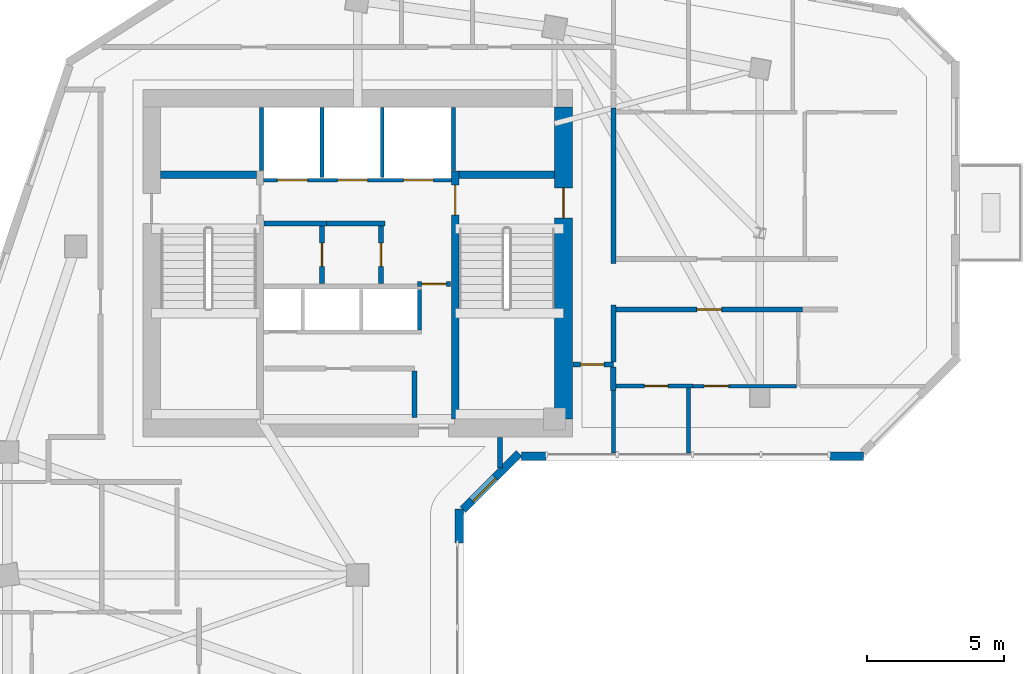
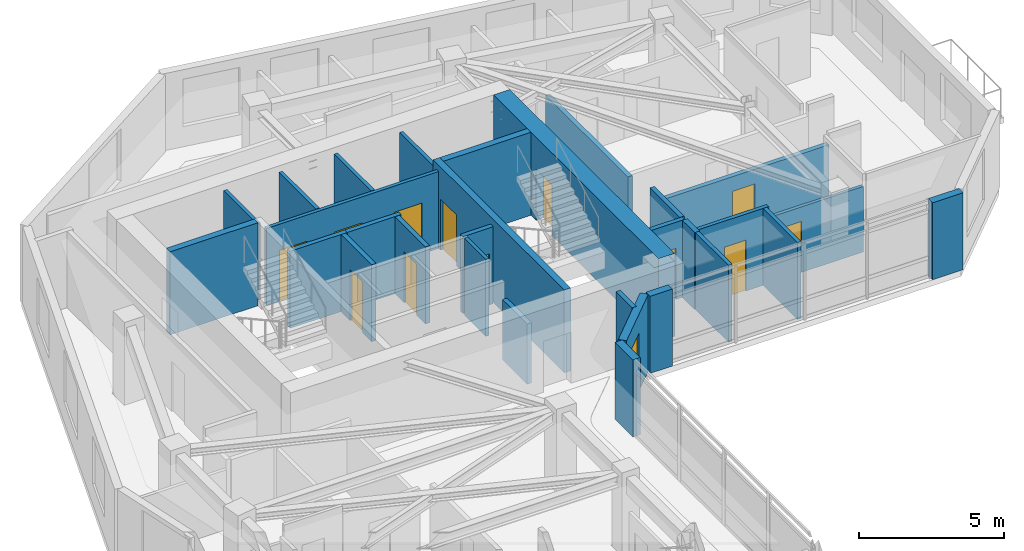
# One storey, part 5 of 10: 30 walls, 12 doors, 1 window, 13 openings.
"""IFC4 building model written with IfcOpenShell, lengths in metres."""

from ifc_helpers import new_model, si_unit, direction, frame, frame_2d, origin, place, context, subcontext, project, spatial, rectangle, extrude, source, transform, mapped, material, layer, layer_set, type_object, element, fill, save


model = new_model("IFC4")

# Units and contexts
model_context = context("Model", 3, precision=1e-05, world=origin(), true_north=direction((0.0, 1.0)))
body_context = subcontext(model_context, "Body", "Model", "MODEL_VIEW")
ifc_project = project(units=[si_unit("LENGTHUNIT", "METRE"), si_unit("AREAUNIT", "SQUARE_METRE"), si_unit("VOLUMEUNIT", "CUBIC_METRE"), si_unit("PLANEANGLEUNIT", "RADIAN"), si_unit("MASSUNIT", "GRAM", prefix="KILO")], contexts=[model_context])

# Site, building, storey
site_placement = place(None, origin())
site = spatial("IfcSite", under=ifc_project, at=site_placement, CompositionType="ELEMENT")
building_placement = place(site_placement, origin())
building = spatial("IfcBuilding", under=site, at=building_placement, Name="Calvemar Wedge Station Tower", CompositionType="ELEMENT")
storey_placement = place(building_placement, frame((0.0, 0.0, 218.39990234375)))
storey = spatial("IfcBuildingStorey", under=building, at=storey_placement, Name="L55", CompositionType="ELEMENT", Elevation=218.39990234375)

# Wall, opening, door
ifc_material_1 = material(Name="Concrete C50", Category="concrete")
ifc_layer_1 = layer(ifc_material_1, 0.260009765625)
ifc_layer_set_1 = layer_set([ifc_layer_1], Name="Concrete C50")
wall_type_1 = type_object("IfcWallType", Name="SW-CORE-260", PredefinedType="SHEAR", material=ifc_layer_set_1)
wall_1_placement = place(storey_placement, frame((27.3701171875, 34.199951171875, 0.0), z_axis=(0.0, 0.0, 1.0), x_axis=(0.0, 1.0, 0.0)))
wall_1 = element("IfcWall", 1, at=wall_1_placement, inside=storey, type_object=wall_type_1, Name="Storey L55 Core Shear Wall SPINE-E", PredefinedType="SHEAR", context=body_context, shape_type="SweptSolid", body=[
    extrude(rectangle(XDim=9.06005859375, YDim=0.260009765625, at=frame_2d((4.530029296875, 0.0))), origin(), (0.0, 0.0, 1.0), 3.5),
])
shared_shape_1 = source(origin(), body_context, "Body", "SweptSolid", [
    extrude(rectangle(XDim=1.10009765625, YDim=2.14990234375, at=frame_2d((0.550048828125, 1.074951171875))), frame((0.0, 0.14013671875, 0.0), z_axis=(0.0, -1.0, 0.0), x_axis=(1.0, 0.0, 0.0)), (0.0, 0.0, 1.0), 0.280029296875),
])
opening_1_placement = place(wall_1_placement, frame((7.449951171875, 0.0, 0.0)))
opening_1 = element("IfcOpeningElement", 2, at=opening_1_placement, cuts=wall_1, Name="Opening FD-90", PredefinedType="OPENING", context=body_context, shape_type="MappedRepresentation", body=[
    mapped(shared_shape_1, transform((0.0, 0.0, 0.0), scale=1.0)),
])
ifc_material_2 = material(Name="Galvanized fire-rated steel door leaf P-90", Category="steel")
door_type_1 = type_object("IfcDoorType", Name="DR-FD90-1100", OperationType="NOTDEFINED", PredefinedType="DOOR", material=ifc_material_2)
shared_shape_2 = source(origin(), body_context, "Body", "SweptSolid", [
    extrude(rectangle(XDim=1.10009765625, YDim=2.14990234375, at=frame_2d((0.550048828125, 1.074951171875))), frame((0.0, 0.02490234375, 0.0), z_axis=(0.0, -1.0, 0.0), x_axis=(1.0, 0.0, 0.0)), (0.0, 0.0, 1.0), 0.050048828125),
])
door_1_placement = place(opening_1_placement, origin())
door_1 = element("IfcDoor", 3, at=door_1_placement, inside=storey, type_object=door_type_1, Name="L55 FF Lobby to Stair ST-C2 Door", OperationType="SINGLE_SWING_RIGHT", OverallHeight=2.14990234375, OverallWidth=1.10009765625, PredefinedType="DOOR", context=body_context, shape_type="MappedRepresentation", body=[
    mapped(shared_shape_2, transform((0.0, 0.0, 0.0), scale=1.0)),
])
fill(opening_1, door_1)

# Walls
for number, where, z_axis, x_axis, name in (
    (4, (16.60009765625, 43.1298828125, 0.0), (0.0, 0.0, 1.0), (1.0, 0.0, 0.0), "Storey L55 Core Shear Wall STC1-N"),
    (5, (27.5, 43.1298828125, 0.0), (0.0, 0.0, 1.0), (1.0, 0.0, 0.0), "Storey L55 Core Shear Wall STC2-N"),
):
    element("IfcWall", number, at=place(storey_placement, frame(where, z_axis=z_axis, x_axis=x_axis)), inside=storey, type_object=wall_type_1, Name=name, PredefinedType="SHEAR", context=body_context, shape_type="SweptSolid", body=[
        extrude(rectangle(XDim=3.5, YDim=0.260009765625, at=frame_2d((1.75, 0.0))), origin(), (0.0, 0.0, 1.0), 3.5),
    ])

# Wall, opening, door
ifc_material_3 = material(Name="Concrete C60", Category="concrete")
ifc_layer_2 = layer(ifc_material_3, 0.64990234375)
ifc_layer_set_2 = layer_set([ifc_layer_2], Name="Concrete C60")
wall_type_2 = type_object("IfcWallType", Name="SW-CORE-650", PredefinedType="SHEAR", material=ifc_layer_set_2)
wall_2_placement = place(storey_placement, frame((31.324951171875, 34.199951171875, 0.0), z_axis=(0.0, 0.0, 1.0), x_axis=(0.0, 1.0, 0.0)))
wall_2 = element("IfcWall", 6, at=wall_2_placement, inside=storey, type_object=wall_type_2, Name="Storey L55 Core Shear Wall E", PredefinedType="SHEAR", context=body_context, shape_type="SweptSolid", body=[
    extrude(rectangle(XDim=11.400146484375, YDim=0.64990234375, at=frame_2d((5.7001953125, 0.0))), origin(), (0.0, 0.0, 1.0), 3.5),
])
shared_shape_3 = source(origin(), body_context, "Body", "SweptSolid", [
    extrude(rectangle(XDim=1.10009765625, YDim=2.14990234375, at=frame_2d((0.550048828125, 1.074951171875))), frame((0.0, 0.3349609375, 0.0), z_axis=(0.0, -1.0, 0.0), x_axis=(1.0, 0.0, 0.0)), (0.0, 0.0, 1.0), 0.669921875),
])
opening_2_placement = place(wall_2_placement, frame((7.35009765625, 0.0, 0.0)))
opening_2 = element("IfcOpeningElement", 7, at=opening_2_placement, cuts=wall_2, Name="Opening FD-90", PredefinedType="OPENING", context=body_context, shape_type="MappedRepresentation", body=[
    mapped(shared_shape_3, transform((0.0, 0.0, 0.0), scale=1.0)),
])
door_2_placement = place(opening_2_placement, origin())
door_2 = element("IfcDoor", 8, at=door_2_placement, inside=storey, type_object=door_type_1, Name="L55 East Corridor to Exit Stair ST-C2 Door", OperationType="SINGLE_SWING_RIGHT", OverallHeight=2.14990234375, OverallWidth=1.10009765625, PredefinedType="DOOR", context=body_context, shape_type="MappedRepresentation", body=[
    mapped(shared_shape_2, transform((0.0, 0.0, 0.0), scale=1.0)),
])
fill(opening_2, door_2)

# Walls
ifc_material_4 = material(Name="Double-stud fire-rated corridor partition")
ifc_layer_3 = layer(ifc_material_4, 0.179931640625)
ifc_layer_set_3 = layer_set([ifc_layer_3], Name="Double-stud fire-rated corridor partition")
wall_type_3 = type_object("IfcWallType", Name="W-CORR-180", PredefinedType="PARTITIONING", material=ifc_layer_set_3)
wall_3_placement = place(storey_placement, frame((22.659912109375, 41.35009765625, 0.0), z_axis=(0.0, 0.0, 1.0), x_axis=(-1.0, 0.0, 0.0)))
element("IfcWall", 9, at=wall_3_placement, inside=storey, type_object=wall_type_3, Name="Storey L55 Interior Partition WL-L55-001", PredefinedType="PARTITIONING", context=body_context, shape_type="SweptSolid", body=[
    extrude(rectangle(XDim=2.280029296875, YDim=0.179931640625, at=frame_2d((1.14013671875, 0.0))), origin(), (0.0, 0.0, 1.0), 3.25),
])
wall_4_placement = place(storey_placement, frame((24.81005859375, 41.35009765625, 0.0), z_axis=(0.0, 0.0, 1.0), x_axis=(-1.0, 0.0, 0.0)))
element("IfcWall", 10, at=wall_4_placement, inside=storey, type_object=wall_type_3, Name="Storey L55 Interior Partition WL-L55-002", PredefinedType="PARTITIONING", context=body_context, shape_type="SweptSolid", body=[
    extrude(rectangle(XDim=2.14794921875, YDim=0.179931640625, at=frame_2d((1.073974609375, 0.0))), origin(), (0.0, 0.0, 1.0), 3.25),
])

# Wall, opening, door
wall_5_placement = place(storey_placement, frame((22.5, 41.256103515625, 0.0), z_axis=(0.0, 0.0, 1.0), x_axis=(0.0, -1.0, 0.0)))
wall_5 = element("IfcWall", 11, at=wall_5_placement, inside=storey, type_object=wall_type_3, Name="Storey L55 Interior Partition WL-L55-003", PredefinedType="PARTITIONING", context=body_context, shape_type="SweptSolid", body=[
    extrude(rectangle(XDim=2.106201171875, YDim=0.179931640625, at=frame_2d((1.05322265625, 0.0))), origin(), (0.0, 0.0, 1.0), 3.25),
])
shared_shape_4 = source(origin(), body_context, "Body", "SweptSolid", [
    extrude(rectangle(XDim=0.85009765625, YDim=2.14990234375, at=frame_2d((0.425048828125, 1.074951171875))), frame((0.0, 0.10009765625, 0.0), z_axis=(0.0, -1.0, 0.0), x_axis=(1.0, 0.0, 0.0)), (0.0, 0.0, 1.0), 0.199951171875),
])
opening_3_placement = place(wall_5_placement, frame((0.6279296875, 0.0, 0.0)))
opening_3 = element("IfcOpeningElement", 12, at=opening_3_placement, cuts=wall_5, Name="Opening FD-60S", PredefinedType="OPENING", context=body_context, shape_type="MappedRepresentation", body=[
    mapped(shared_shape_4, transform((0.0, 0.0, 0.0), scale=1.0)),
])
ifc_material_5 = material(Name="Fire-rated steel and hardwood service door EI 60", Category="steel")
door_type_2 = type_object("IfcDoorType", Name="DR-CORE-FD60-850", OperationType="NOTDEFINED", PredefinedType="DOOR", material=ifc_material_5)
shared_shape_5 = source(origin(), body_context, "Body", "SweptSolid", [
    extrude(rectangle(XDim=0.85009765625, YDim=2.14990234375, at=frame_2d((0.425048828125, 1.074951171875))), frame((0.0, 0.02490234375, 0.0), z_axis=(0.0, -1.0, 0.0), x_axis=(1.0, 0.0, 0.0)), (0.0, 0.0, 1.0), 0.050048828125),
])
door_3_placement = place(opening_3_placement, origin())
door_3 = element("IfcDoor", 13, at=door_3_placement, inside=storey, type_object=door_type_2, Name="L55 IT and Telecoms Room Door", OperationType="SINGLE_SWING_RIGHT", OverallHeight=2.14990234375, OverallWidth=0.85009765625, PredefinedType="DOOR", context=body_context, shape_type="MappedRepresentation", body=[
    mapped(shared_shape_5, transform((0.0, 0.0, 0.0), scale=1.0)),
])
fill(opening_3, door_3)

wall_6_placement = place(storey_placement, frame((24.64990234375, 41.256103515625, 0.0), z_axis=(0.0, 0.0, 1.0), x_axis=(0.0, -1.0, 0.0)))
wall_6 = element("IfcWall", 14, at=wall_6_placement, inside=storey, type_object=wall_type_3, Name="Storey L55 Interior Partition WL-L55-004", PredefinedType="PARTITIONING", context=body_context, shape_type="SweptSolid", body=[
    extrude(rectangle(XDim=2.106201171875, YDim=0.179931640625, at=frame_2d((1.05322265625, 0.0))), origin(), (0.0, 0.0, 1.0), 3.25),
])
opening_4_placement = place(wall_6_placement, frame((0.6279296875, 0.0, 0.0)))
opening_4 = element("IfcOpeningElement", 15, at=opening_4_placement, cuts=wall_6, Name="Opening FD-60S", PredefinedType="OPENING", context=body_context, shape_type="MappedRepresentation", body=[
    mapped(shared_shape_4, transform((0.0, 0.0, 0.0), scale=1.0)),
])
door_4_placement = place(opening_4_placement, origin())
door_4 = element("IfcDoor", 16, at=door_4_placement, inside=storey, type_object=door_type_2, Name="L55 Core Equipment Store Door", OperationType="SINGLE_SWING_LEFT", OverallHeight=2.14990234375, OverallWidth=0.85009765625, PredefinedType="DOOR", context=body_context, shape_type="MappedRepresentation", body=[
    mapped(shared_shape_5, transform((0.0, 0.0, 0.0), scale=1.0)),
])
fill(opening_4, door_4)

wall_7_placement = place(storey_placement, frame((27.199951171875, 39.1298828125, 0.0), z_axis=(0.0, 0.0, 1.0), x_axis=(-1.0, 0.0, 0.0)))
wall_7 = element("IfcWall", 17, at=wall_7_placement, inside=storey, type_object=wall_type_3, Name="Storey L55 Interior Partition WL-L55-005", PredefinedType="PARTITIONING", context=body_context, shape_type="SweptSolid", body=[
    extrude(rectangle(XDim=1.2099609375, YDim=0.179931640625, at=frame_2d((0.60498046875, 0.0))), origin(), (0.0, 0.0, 1.0), 3.25),
])
shared_shape_6 = source(origin(), body_context, "Body", "SweptSolid", [
    extrude(rectangle(XDim=0.89990234375, YDim=2.14990234375, at=frame_2d((0.449951171875, 1.074951171875))), frame((0.0, 0.10009765625, 0.0), z_axis=(0.0, -1.0, 0.0), x_axis=(1.0, 0.0, 0.0)), (0.0, 0.0, 1.0), 0.199951171875),
])
opening_5_placement = place(wall_7_placement, frame((0.155029296875, 0.0, 0.0)))
opening_5 = element("IfcOpeningElement", 18, at=opening_5_placement, cuts=wall_7, Name="Opening FD-60", PredefinedType="OPENING", context=body_context, shape_type="MappedRepresentation", body=[
    mapped(shared_shape_6, transform((0.0, 0.0, 0.0), scale=1.0)),
])
ifc_material_6 = material(Name="Fire-rated acoustic timber-core entrance door EI 60", Category="wood")
door_type_3 = type_object("IfcDoorType", Name="DR-FD60-900", OperationType="NOTDEFINED", PredefinedType="DOOR", material=ifc_material_6)
shared_shape_7 = source(origin(), body_context, "Body", "SweptSolid", [
    extrude(rectangle(XDim=0.89990234375, YDim=2.14990234375, at=frame_2d((0.449951171875, 1.074951171875))), frame((0.0, 0.02490234375, 0.0), z_axis=(0.0, -1.0, 0.0), x_axis=(1.0, 0.0, 0.0)), (0.0, 0.0, 1.0), 0.050048828125),
])
door_5_placement = place(opening_5_placement, origin())
door_5 = element("IfcDoor", 19, at=door_5_placement, inside=storey, type_object=door_type_3, Name="L55 Core Service Lobby Door", OperationType="SINGLE_SWING_RIGHT", OverallHeight=2.14990234375, OverallWidth=0.89990234375, PredefinedType="DOOR", context=body_context, shape_type="MappedRepresentation", body=[
    mapped(shared_shape_7, transform((0.0, 0.0, 0.0), scale=1.0)),
])
fill(opening_5, door_5)

# Walls
wall_8_placement = place(storey_placement, frame((25.8798828125, 35.9560546875, 0.0), z_axis=(0.0, 0.0, 1.0), x_axis=(0.0, -1.0, 0.0)))
element("IfcWall", 20, at=wall_8_placement, inside=storey, type_object=wall_type_3, Name="Storey L55 Interior Partition WL-L55-007", PredefinedType="PARTITIONING", context=body_context, shape_type="SweptSolid", body=[
    extrude(rectangle(XDim=1.7060546875, YDim=0.179931640625, at=frame_2d((0.85302734375, 0.0))), origin(), (0.0, 0.0, 1.0), 2.5419921875),
])
wall_9_placement = place(storey_placement, frame((29.0, 33.530029296875, 0.0), z_axis=(0.0, 0.0, 1.0), x_axis=(0.0, -1.0, 0.0)))
element("IfcWall", 21, at=wall_9_placement, inside=storey, type_object=wall_type_3, Name="Storey L55 Interior Partition WL-L55-010", PredefinedType="PARTITIONING", context=body_context, shape_type="SweptSolid", body=[
    extrude(rectangle(XDim=1.127197265625, YDim=0.179931640625, at=frame_2d((0.5634765625, 0.0))), origin(), (0.0, 0.0, 1.0), 3.25),
])

# Wall, opening, door
wall_10_placement = place(storey_placement, frame((33.14990234375, 36.199951171875, 0.0), z_axis=(0.0, 0.0, 1.0), x_axis=(-1.0, 0.0, 0.0)))
wall_10 = element("IfcWall", 22, at=wall_10_placement, inside=storey, type_object=wall_type_3, Name="Storey L55 Interior Partition WL-L55-019", PredefinedType="PARTITIONING", context=body_context, shape_type="SweptSolid", body=[
    extrude(rectangle(XDim=1.47998046875, YDim=0.179931640625, at=frame_2d((0.739990234375, 0.0))), origin(), (0.0, 0.0, 1.0), 3.25),
])
opening_6_placement = place(wall_10_placement, frame((0.35009765625, 0.0, 0.0)))
opening_6 = element("IfcOpeningElement", 23, at=opening_6_placement, cuts=wall_10, Name="Opening D-02", PredefinedType="OPENING", context=body_context, shape_type="MappedRepresentation", body=[
    mapped(shared_shape_4, transform((0.0, 0.0, 0.0), scale=1.0)),
])
ifc_material_7 = material(Name="Moisture-sealed bathroom hardwood swing door", Category="wood")
door_type_4 = type_object("IfcDoorType", Name="DR-WET-850", OperationType="NOTDEFINED", PredefinedType="DOOR", material=ifc_material_7)
shared_shape_8 = source(origin(), body_context, "Body", "SweptSolid", [
    extrude(rectangle(XDim=0.85009765625, YDim=2.14990234375, at=frame_2d((0.425048828125, 1.074951171875))), frame((0.0, 0.02490234375, 0.0), z_axis=(0.0, -1.0, 0.0), x_axis=(1.0, 0.0, 0.0)), (0.0, 0.0, 1.0), 0.050048828125),
])
door_6_placement = place(opening_6_placement, origin())
door_6 = element("IfcDoor", 24, at=door_6_placement, inside=storey, type_object=door_type_4, Name="L55 Pantry Door", OperationType="SINGLE_SWING_RIGHT", OverallHeight=2.14990234375, OverallWidth=0.85009765625, PredefinedType="DOOR", context=body_context, shape_type="MappedRepresentation", body=[
    mapped(shared_shape_8, transform((0.0, 0.0, 0.0), scale=1.0)),
])
fill(opening_6, door_6)

# Walls
wall_11_placement = place(storey_placement, frame((33.14990234375, 45.576904296875, 0.0), z_axis=(0.0, 0.0, 1.0), x_axis=(0.0, -1.0, 0.0)))
element("IfcWall", 25, at=wall_11_placement, inside=storey, type_object=wall_type_3, Name="Storey L55 Interior Partition WL-L55-020", PredefinedType="PARTITIONING", context=body_context, shape_type="SweptSolid", body=[
    extrude(rectangle(XDim=5.68701171875, YDim=0.179931640625, at=frame_2d((2.843505859375, 0.0))), origin(), (0.0, 0.0, 1.0), 2.779052734375),
])
wall_12_placement = place(storey_placement, frame((33.14990234375, 38.360107421875, 0.0), z_axis=(0.0, 0.0, 1.0), x_axis=(0.0, -1.0, 0.0)))
element("IfcWall", 26, at=wall_12_placement, inside=storey, type_object=wall_type_3, Name="Storey L55 Interior Partition WL-L55-022", PredefinedType="PARTITIONING", context=body_context, shape_type="SweptSolid", body=[
    extrude(rectangle(XDim=2.066162109375, YDim=0.179931640625, at=frame_2d((1.033203125, 0.0))), origin(), (0.0, 0.0, 1.0), 3.25),
])

# Wall, opening, door
wall_13_placement = place(storey_placement, frame((40.06005859375, 38.199951171875, 0.0), z_axis=(0.0, 0.0, 1.0), x_axis=(-1.0, 0.0, 0.0)))
wall_13 = element("IfcWall", 27, at=wall_13_placement, inside=storey, type_object=wall_type_3, Name="Storey L55 Interior Partition WL-L55-029", PredefinedType="PARTITIONING", context=body_context, shape_type="SweptSolid", body=[
    extrude(rectangle(XDim=6.816162109375, YDim=0.179931640625, at=frame_2d((3.408203125, 0.0))), origin(), (0.0, 0.0, 1.0), 2.76611328125),
])
opening_7_placement = place(wall_13_placement, frame((2.9580078125, 0.0, 0.0)))
opening_7 = element("IfcOpeningElement", 28, at=opening_7_placement, cuts=wall_13, Name="Opening FD-60", PredefinedType="OPENING", context=body_context, shape_type="MappedRepresentation", body=[
    mapped(shared_shape_6, transform((0.0, 0.0, 0.0), scale=1.0)),
])
door_7_placement = place(opening_7_placement, origin())
door_7 = element("IfcDoor", 29, at=door_7_placement, inside=storey, type_object=door_type_3, Name="L55 Living Dining Door", OperationType="SINGLE_SWING_RIGHT", OverallHeight=2.14990234375, OverallWidth=0.89990234375, PredefinedType="DOOR", context=body_context, shape_type="MappedRepresentation", body=[
    mapped(shared_shape_7, transform((0.0, 0.0, 0.0), scale=1.0)),
])
fill(opening_7, door_7)

# Walls
ifc_material_8 = material(Name="Twin-stud fire-rated inter-tenancy wall")
ifc_layer_4 = layer(ifc_material_8, 0.199951171875)
ifc_layer_set_4 = layer_set([ifc_layer_4], Name="Twin-stud fire-rated inter-tenancy wall")
wall_type_4 = type_object("IfcWallType", Name="W-DEMISE-200", PredefinedType="PARTITIONING", material=ifc_layer_set_4)
wall_14_placement = place(storey_placement, frame((33.14990234375, 36.10595703125, 0.0), z_axis=(0.0, 0.0, 1.0), x_axis=(0.0, -1.0, 0.0)))
element("IfcWall", 30, at=wall_14_placement, inside=storey, type_object=wall_type_4, Name="Storey L55 Interior Partition WL-L55-031", PredefinedType="PARTITIONING", context=body_context, shape_type="SweptSolid", body=[
    extrude(rectangle(XDim=0.85888671875, YDim=0.199951171875, at=frame_2d((0.429443359375, 0.0))), origin(), (0.0, 0.0, 1.0), 3.25),
])
ifc_material_9 = material(Name="Precast concrete C45", Category="concrete")
ifc_layer_5 = layer(ifc_material_9, 0.300048828125)
ifc_layer_set_5 = layer_set([ifc_layer_5], Name="Precast concrete C45")
wall_type_5 = type_object("IfcWallType", Name="W-EXT-GFRC-300", PredefinedType="SOLIDWALL", material=ifc_layer_set_5)
wall_15_placement = place(storey_placement, frame((27.513916015625, 29.676513671875, 0.0), z_axis=(0.0, 0.0, 1.0), x_axis=(0.0, 1.0, 0.0)))
element("IfcWall", 31, at=wall_15_placement, inside=storey, type_object=wall_type_5, Name="Storey L55 Bronze GFRC Corner Pier 4B", PredefinedType="SOLIDWALL", context=body_context, shape_type="SweptSolid", body=[
    extrude(rectangle(XDim=1.2275390625, YDim=0.300048828125, at=frame_2d((0.61376953125, 0.0))), origin(), (0.0, 0.0, 1.0), 3.25),
])

# Wall, opening, window
wall_16_placement = place(storey_placement, frame((27.652099609375, 30.89208984375, 0.0), z_axis=(0.0, 0.0, 1.0), x_axis=(0.707106781187, 0.707106781187, 0.0)))
wall_16 = element("IfcWall", 32, at=wall_16_placement, inside=storey, type_object=wall_type_5, Name="Storey L55 Bronze GFRC Exterior Wall 5", PredefinedType="SOLIDWALL", context=body_context, shape_type="SweptSolid", body=[
    extrude(rectangle(XDim=2.907470703125, YDim=0.300048828125, at=frame_2d((1.45361328125, 0.0))), origin(), (0.0, 0.0, 1.0), 3.25),
])
shared_shape_9 = source(origin(), body_context, "Body", "SweptSolid", [
    extrude(rectangle(XDim=1.199951171875, YDim=1.60009765625, at=frame_2d((0.60009765625, 0.800048828125))), frame((0.0, 0.16015625, 0.0), z_axis=(0.0, -1.0, 0.0), x_axis=(1.0, 0.0, 0.0)), (0.0, 0.0, 1.0), 0.320068359375),
])
opening_8_placement = place(wall_16_placement, frame((0.4609375, 0.0, 0.85009765625)))
opening_8 = element("IfcOpeningElement", 33, at=opening_8_placement, cuts=wall_16, Name="Opening W5", PredefinedType="OPENING", context=body_context, shape_type="MappedRepresentation", body=[
    mapped(shared_shape_9, transform((0.0, 0.0, 0.0), scale=1.0)),
])
ifc_material_10 = material(Name="Low-E laminated insulated glass", Category="glass")
window_type = type_object("IfcWindowType", Name="WIN-EXT-5", PartitioningType="SINGLE_PANEL", PredefinedType="WINDOW", material=ifc_material_10)
shared_shape_10 = source(origin(), body_context, "Body", "SweptSolid", [
    extrude(rectangle(XDim=1.199951171875, YDim=1.60009765625, at=frame_2d((0.60009765625, 0.800048828125))), frame((0.0, -0.014892578125, 0.0), z_axis=(0.0, -1.0, 0.0), x_axis=(1.0, 0.0, 0.0)), (0.0, 0.0, 1.0), 0.06005859375),
])
window_placement = place(opening_8_placement, origin())
window = element("IfcWindow", 34, at=window_placement, inside=storey, type_object=window_type, Name="Storey L55 Recessed Window 5.1", OverallHeight=1.60009765625, OverallWidth=1.199951171875, PartitioningType="SINGLE_PANEL", PredefinedType="WINDOW", context=body_context, shape_type="MappedRepresentation", body=[
    mapped(shared_shape_10, transform((0.0, 0.0, 0.0), scale=1.0)),
])
fill(opening_8, window)

# Walls
wall_17_placement = place(storey_placement, frame((29.797119140625, 32.842041015625, 0.0), z_axis=(0.0, 0.0, 1.0), x_axis=(1.0, 0.0, 0.0)))
element("IfcWall", 35, at=wall_17_placement, inside=storey, type_object=wall_type_5, Name="Storey L55 Bronze GFRC Corner Pier 6A", PredefinedType="SOLIDWALL", context=body_context, shape_type="SweptSolid", body=[
    extrude(rectangle(XDim=0.88232421875, YDim=0.300048828125, at=frame_2d((0.441162109375, 0.0))), origin(), (0.0, 0.0, 1.0), 3.25),
])
wall_18_placement = place(storey_placement, frame((41.060302734375, 32.842041015625, 0.0), z_axis=(0.0, 0.0, 1.0), x_axis=(1.0, 0.0, 0.0)))
element("IfcWall", 36, at=wall_18_placement, inside=storey, type_object=wall_type_5, Name="Storey L55 Bronze GFRC Corner Pier 6B", PredefinedType="SOLIDWALL", context=body_context, shape_type="SweptSolid", body=[
    extrude(rectangle(XDim=1.2275390625, YDim=0.300048828125, at=frame_2d((0.61376953125, 0.0))), origin(), (0.0, 0.0, 1.0), 3.25),
])

# Wall, openings, doors
ifc_material_11 = material(Name="Reinforced concrete blockwork lift shaft wall", Category="masonry")
ifc_layer_6 = layer(ifc_material_11, 0.139892578125)
ifc_layer_set_6 = layer_set([ifc_layer_6], Name="Reinforced concrete blockwork lift shaft wall")
wall_type_6 = type_object("IfcWallType", Name="W-LIFT-160", PredefinedType="SOLIDWALL", material=ifc_layer_set_6)
wall_19_placement = place(storey_placement, frame((20.3701171875, 42.929931640625, 0.0), z_axis=(0.0, 0.0, 1.0), x_axis=(1.0, 0.0, 0.0)))
wall_19 = element("IfcWall", 37, at=wall_19_placement, inside=storey, type_object=wall_type_6, Name="Storey L55 Firefighting and Service Lift Shaft Front Wall", PredefinedType="SOLIDWALL", context=body_context, shape_type="SweptSolid", body=[
    extrude(rectangle(XDim=6.85986328125, YDim=0.139892578125, at=frame_2d((3.429931640625, 0.0))), origin(), (0.0, 0.0, 1.0), 3.25),
])
shared_shape_11 = source(origin(), body_context, "Body", "SweptSolid", [
    extrude(rectangle(XDim=1.10009765625, YDim=2.14990234375, at=frame_2d((0.550048828125, 1.074951171875))), frame((0.0, 0.080078125, 0.0), z_axis=(0.0, -1.0, 0.0), x_axis=(1.0, 0.0, 0.0)), (0.0, 0.0, 1.0), 0.159912109375),
])
opening_9_placement = place(wall_19_placement, frame((0.5, 0.0, 0.0)))
opening_9 = element("IfcOpeningElement", 38, at=opening_9_placement, cuts=wall_19, Name="Opening LD-FF", PredefinedType="OPENING", context=body_context, shape_type="MappedRepresentation", body=[
    mapped(shared_shape_11, transform((0.0, 0.0, 0.0), scale=1.0)),
])
opening_10_placement = place(wall_19_placement, frame((2.699951171875, 0.0, 0.0)))
opening_10 = element("IfcOpeningElement", 39, at=opening_10_placement, cuts=wall_19, Name="Opening LD-FF", PredefinedType="OPENING", context=body_context, shape_type="MappedRepresentation", body=[
    mapped(shared_shape_11, transform((0.0, 0.0, 0.0), scale=1.0)),
])
opening_11_placement = place(wall_19_placement, frame((5.10009765625, 0.0, 0.0)))
opening_11 = element("IfcOpeningElement", 40, at=opening_11_placement, cuts=wall_19, Name="Opening LD-STN", PredefinedType="OPENING", context=body_context, shape_type="MappedRepresentation", body=[
    mapped(shared_shape_11, transform((0.0, 0.0, 0.0), scale=1.0)),
])
ifc_material_12 = material(Name="Stainless steel firefighting lift sliding landing door", Category="steel")
door_type_5 = type_object("IfcDoorType", Name="DR-LD-FF-1100", OperationType="SLIDING_TO_LEFT", PredefinedType="DOOR", material=ifc_material_12)
shared_shape_12 = source(origin(), body_context, "Body", "SweptSolid", [
    extrude(rectangle(XDim=1.10009765625, YDim=2.14990234375, at=frame_2d((0.550048828125, 1.074951171875))), frame((0.0, 0.02490234375, 0.0), z_axis=(0.0, -1.0, 0.0), x_axis=(1.0, 0.0, 0.0)), (0.0, 0.0, 1.0), 0.050048828125),
])
door_8_placement = place(opening_9_placement, origin())
door_8 = element("IfcDoor", 41, at=door_8_placement, inside=storey, type_object=door_type_5, Name="L55 Lift FF-01 Sliding Landing Door", OperationType="SLIDING_TO_LEFT", OverallHeight=2.14990234375, OverallWidth=1.10009765625, PredefinedType="DOOR", context=body_context, shape_type="MappedRepresentation", body=[
    mapped(shared_shape_12, transform((0.0, 0.0, 0.0), scale=1.0)),
])
fill(opening_9, door_8)
door_9_placement = place(opening_10_placement, origin())
door_9 = element("IfcDoor", 42, at=door_9_placement, inside=storey, type_object=door_type_5, Name="L55 Lift FF-02 Sliding Landing Door", OperationType="SLIDING_TO_RIGHT", OverallHeight=2.14990234375, OverallWidth=1.10009765625, PredefinedType="DOOR", context=body_context, shape_type="MappedRepresentation", body=[
    mapped(shared_shape_12, transform((0.0, 0.0, 0.0), scale=1.0)),
])
fill(opening_10, door_9)
ifc_material_13 = material(Name="Stainless steel transit lift sliding landing door", Category="steel")
door_type_6 = type_object("IfcDoorType", Name="DR-LD-PAX-1100", OperationType="SLIDING_TO_LEFT", PredefinedType="DOOR", material=ifc_material_13)
shared_shape_13 = source(origin(), body_context, "Body", "SweptSolid", [
    extrude(rectangle(XDim=1.10009765625, YDim=2.14990234375, at=frame_2d((0.550048828125, 1.074951171875))), frame((0.0, 0.02490234375, 0.0), z_axis=(0.0, -1.0, 0.0), x_axis=(1.0, 0.0, 0.0)), (0.0, 0.0, 1.0), 0.050048828125),
])
door_10_placement = place(opening_11_placement, origin())
door_10 = element("IfcDoor", 43, at=door_10_placement, inside=storey, type_object=door_type_6, Name="L55 Lift SV-01 Sliding Landing Door", OperationType="SLIDING_TO_LEFT", OverallHeight=2.14990234375, OverallWidth=1.10009765625, PredefinedType="DOOR", context=body_context, shape_type="MappedRepresentation", body=[
    mapped(shared_shape_13, transform((0.0, 0.0, 0.0), scale=1.0)),
])
fill(opening_11, door_10)

# Walls
for number, where, z_axis, x_axis, name in (
    (44, (20.2900390625, 43.280029296875, 0.0), (0.0, 0.0, 1.0), (0.0, 1.0, 0.0), "Storey L55 Firefighting Lift Shaft Enclosure Wall W"),
    (45, (27.31005859375, 43.280029296875, 0.0), (0.0, 0.0, 1.0), (0.0, 1.0, 0.0), "Storey L55 Firefighting Lift Shaft Enclosure Wall E"),
):
    element("IfcWall", number, at=place(storey_placement, frame(where, z_axis=z_axis, x_axis=x_axis)), inside=storey, type_object=wall_type_6, Name=name, PredefinedType="SOLIDWALL", context=body_context, shape_type="SweptSolid", body=[
        extrude(rectangle(XDim=2.300048828125, YDim=0.139892578125, at=frame_2d((1.14990234375, 0.0))), origin(), (0.0, 0.0, 1.0), 3.25),
    ])
for number, where, z_axis, x_axis, name in (
    (46, (22.5, 43.02001953125, 0.0), (0.0, 0.0, 1.0), (0.0, 1.0, 0.0), "Storey L55 Firefighting Lift Shaft Enclosure Wall D1"),
    (47, (24.699951171875, 43.02001953125, 0.0), (0.0, 0.0, 1.0), (0.0, 1.0, 0.0), "Storey L55 Firefighting Lift Shaft Enclosure Wall D2"),
):
    element("IfcWall", number, at=place(storey_placement, frame(where, z_axis=z_axis, x_axis=x_axis)), inside=storey, type_object=wall_type_6, Name=name, PredefinedType="SOLIDWALL", context=body_context, shape_type="SweptSolid", body=[
        extrude(rectangle(XDim=2.56005859375, YDim=0.139892578125, at=frame_2d((1.280029296875, 0.0))), origin(), (0.0, 0.0, 1.0), 3.25),
    ])
wall_20_placement = place(storey_placement, frame((26.06005859375, 37.4599609375, 0.0), z_axis=(0.0, 0.0, 1.0), x_axis=(0.0, 1.0, 0.0)))
element("IfcWall", 48, at=wall_20_placement, inside=storey, type_object=wall_type_6, Name="Storey L55 Upper Passenger Lift Shaft Wall E", PredefinedType="SOLIDWALL", context=body_context, shape_type="SweptSolid", body=[
    extrude(rectangle(XDim=1.47998046875, YDim=0.139892578125, at=frame_2d((0.739990234375, 0.0))), origin(), (0.0, 0.0, 1.0), 3.25),
])

# Wall, opening, door
ifc_material_14 = material(Name="Insulated acoustic gypsum stud partition")
ifc_layer_7 = layer(ifc_material_14, 0.125)
ifc_layer_set_7 = layer_set([ifc_layer_7], Name="Insulated acoustic gypsum stud partition")
wall_type_7 = type_object("IfcWallType", Name="W-PART-125", PredefinedType="PARTITIONING", material=ifc_layer_set_7)
wall_21_placement = place(storey_placement, frame((39.83349609375, 35.406982421875, 0.0), z_axis=(0.0, 0.0, 1.0), x_axis=(-1.0, 0.0, 0.0)))
wall_21 = element("IfcWall", 49, at=wall_21_placement, inside=storey, type_object=wall_type_7, Name="Storey L55 Interior Partition WL-L55-041", PredefinedType="PARTITIONING", context=body_context, shape_type="SweptSolid", body=[
    extrude(rectangle(XDim=3.771484375, YDim=0.125, at=frame_2d((1.8857421875, 0.0))), origin(), (0.0, 0.0, 1.0), 2.76611328125),
])
shared_shape_14 = source(origin(), body_context, "Body", "SweptSolid", [
    extrude(rectangle(XDim=0.89990234375, YDim=2.14990234375, at=frame_2d((0.449951171875, 1.074951171875))), frame((0.0, 0.072509765625, 0.0), z_axis=(0.0, -1.0, 0.0), x_axis=(1.0, 0.0, 0.0)), (0.0, 0.0, 1.0), 0.14501953125),
])
opening_12_placement = place(wall_21_placement, frame((2.4697265625, 0.0, 0.0)))
opening_12 = element("IfcOpeningElement", 50, at=opening_12_placement, cuts=wall_21, Name="Opening D-01", PredefinedType="OPENING", context=body_context, shape_type="MappedRepresentation", body=[
    mapped(shared_shape_14, transform((0.0, 0.0, 0.0), scale=1.0)),
])
ifc_material_15 = material(Name="Architectural hardwood acoustic swing door", Category="wood")
door_type_7 = type_object("IfcDoorType", Name="DR-INT-900", OperationType="NOTDEFINED", PredefinedType="DOOR", material=ifc_material_15)
shared_shape_15 = source(origin(), body_context, "Body", "SweptSolid", [
    extrude(rectangle(XDim=0.89990234375, YDim=2.14990234375, at=frame_2d((0.449951171875, 1.074951171875))), frame((0.0, 0.02490234375, 0.0), z_axis=(0.0, -1.0, 0.0), x_axis=(1.0, 0.0, 0.0)), (0.0, 0.0, 1.0), 0.050048828125),
])
door_11_placement = place(opening_12_placement, origin())
door_11 = element("IfcDoor", 51, at=door_11_placement, inside=storey, type_object=door_type_7, Name="L55 Master Bedroom Door", OperationType="SINGLE_SWING_LEFT", OverallHeight=2.14990234375, OverallWidth=0.89990234375, PredefinedType="DOOR", context=body_context, shape_type="MappedRepresentation", body=[
    mapped(shared_shape_15, transform((0.0, 0.0, 0.0), scale=1.0)),
])
fill(opening_12, door_11)

# Wall
ifc_material_16 = material(Name="Moisture-resistant acoustic bathroom partition")
ifc_layer_8 = layer(ifc_material_16, 0.14990234375)
ifc_layer_set_8 = layer_set([ifc_layer_8], Name="Moisture-resistant acoustic bathroom partition")
wall_type_8 = type_object("IfcWallType", Name="W-WET-150", PredefinedType="PARTITIONING", material=ifc_layer_set_8)
wall_22_placement = place(storey_placement, frame((33.14990234375, 35.2451171875, 0.0), z_axis=(0.0, 0.0, 1.0), x_axis=(0.0, -1.0, 0.0)))
element("IfcWall", 52, at=wall_22_placement, inside=storey, type_object=wall_type_8, Name="Storey L55 Interior Partition WL-L55-032", PredefinedType="PARTITIONING", context=body_context, shape_type="SweptSolid", body=[
    extrude(rectangle(XDim=2.2880859375, YDim=0.14990234375, at=frame_2d((1.14404296875, 0.0))), origin(), (0.0, 0.0, 1.0), 3.25),
])

# Wall, opening, door
wall_23_placement = place(storey_placement, frame((36.06005859375, 35.406982421875, 0.0), z_axis=(0.0, 0.0, 1.0), x_axis=(-1.0, 0.0, 0.0)))
wall_23 = element("IfcWall", 53, at=wall_23_placement, inside=storey, type_object=wall_type_8, Name="Storey L55 Interior Partition WL-L55-040", PredefinedType="PARTITIONING", context=body_context, shape_type="SweptSolid", body=[
    extrude(rectangle(XDim=2.80615234375, YDim=0.14990234375, at=frame_2d((1.403076171875, 0.0))), origin(), (0.0, 0.0, 1.0), 3.25),
])
shared_shape_16 = source(origin(), body_context, "Body", "SweptSolid", [
    extrude(rectangle(XDim=0.85009765625, YDim=2.14990234375, at=frame_2d((0.425048828125, 1.074951171875))), frame((0.0, 0.0849609375, 0.0), z_axis=(0.0, -1.0, 0.0), x_axis=(1.0, 0.0, 0.0)), (0.0, 0.0, 1.0), 0.169921875),
])
opening_13_placement = place(wall_23_placement, frame((0.91455078125, 0.0, 0.0)))
opening_13 = element("IfcOpeningElement", 54, at=opening_13_placement, cuts=wall_23, Name="Opening D-02", PredefinedType="OPENING", context=body_context, shape_type="MappedRepresentation", body=[
    mapped(shared_shape_16, transform((0.0, 0.0, 0.0), scale=1.0)),
])
door_12_placement = place(opening_13_placement, origin())
door_12 = element("IfcDoor", 55, at=door_12_placement, inside=storey, type_object=door_type_4, Name="L55 Bathroom Door", OperationType="SINGLE_SWING_RIGHT", OverallHeight=2.14990234375, OverallWidth=0.85009765625, PredefinedType="DOOR", context=body_context, shape_type="MappedRepresentation", body=[
    mapped(shared_shape_8, transform((0.0, 0.0, 0.0), scale=1.0)),
])
fill(opening_13, door_12)

# Wall
wall_24_placement = place(storey_placement, frame((35.89990234375, 35.327880859375, 0.0), z_axis=(0.0, 0.0, 1.0), x_axis=(0.0, -1.0, 0.0)))
element("IfcWall", 56, at=wall_24_placement, inside=storey, type_object=wall_type_8, Name="Storey L55 Interior Partition WL-L55-043", PredefinedType="PARTITIONING", context=body_context, shape_type="SweptSolid", body=[
    extrude(rectangle(XDim=2.370849609375, YDim=0.14990234375, at=frame_2d((1.185546875, 0.0))), origin(), (0.0, 0.0, 1.0), 3.25),
])

save(model, "model.ifc")
